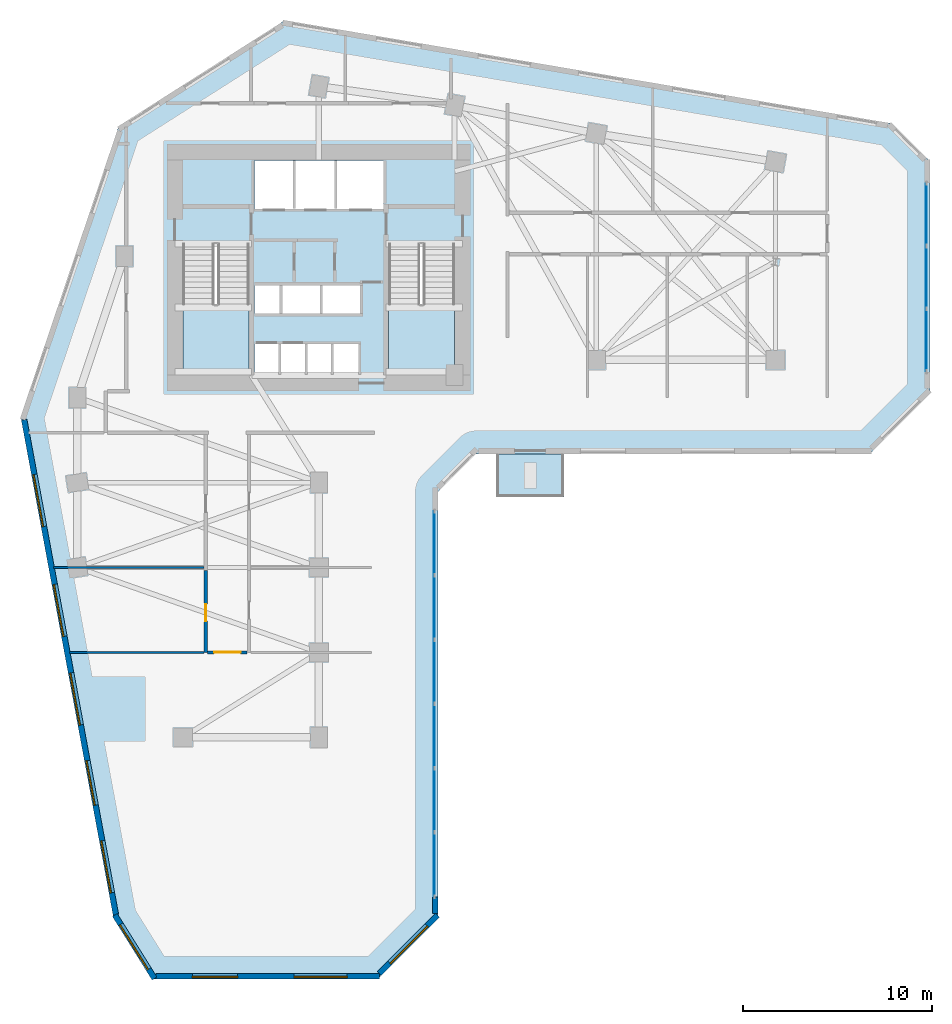
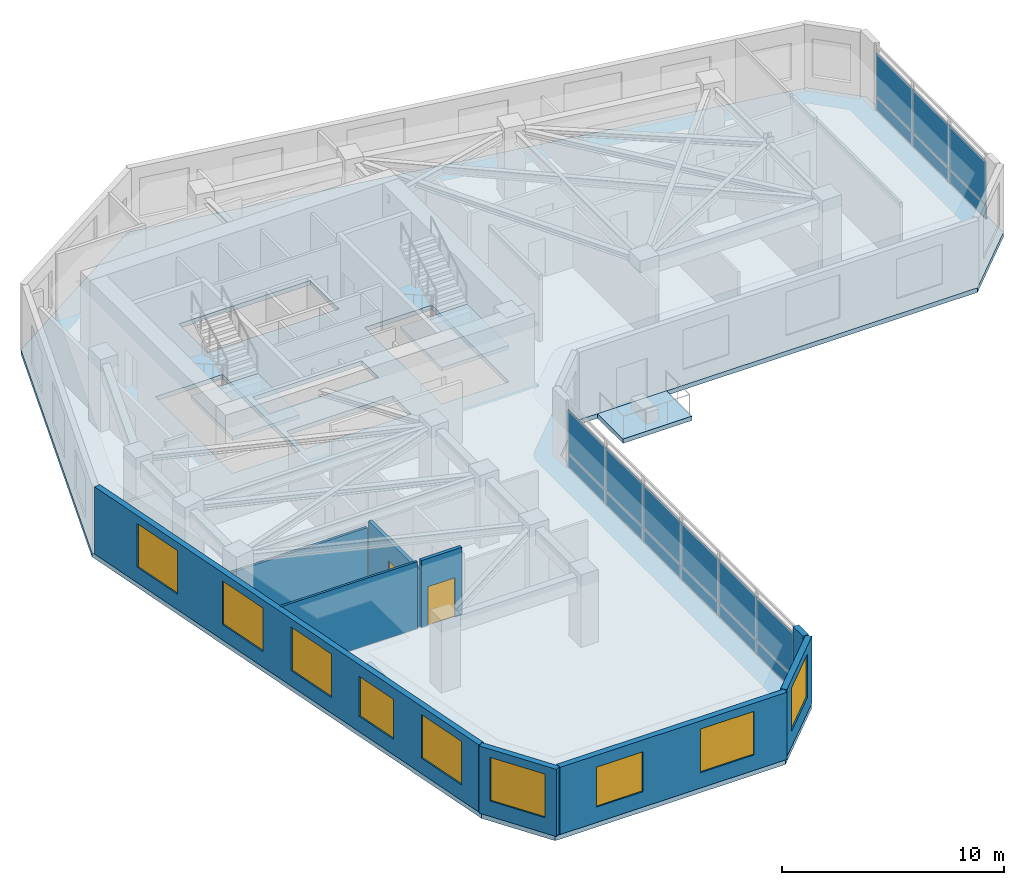
# One storey, part 4 of 10: 18 plates, 9 walls, 9 windows, 4 slabs, 2 doors, 11 openings, 4 elements without a shape of their own.
"""IFC4 building model written with IfcOpenShell, lengths in metres."""

from ifc_helpers import new_model, si_unit, direction, frame, frame_2d, origin, place, context, subcontext, project, spatial, polyline, rectangle, outline, extrude, source, transform, mapped, material, layer, layer_set, type_object, element, fill, aggregate, save


model = new_model("IFC4")

# Units and contexts
model_context = context("Model", 3, precision=1e-05, world=origin(), true_north=direction((0.0, 1.0)))
body_context = subcontext(model_context, "Body", "Model", "MODEL_VIEW")
ifc_project = project(units=[si_unit("LENGTHUNIT", "METRE"), si_unit("AREAUNIT", "SQUARE_METRE"), si_unit("VOLUMEUNIT", "CUBIC_METRE"), si_unit("PLANEANGLEUNIT", "RADIAN"), si_unit("MASSUNIT", "GRAM", prefix="KILO")], contexts=[model_context])

# Site, building, storey
site_placement = place(None, origin())
site = spatial("IfcSite", under=ifc_project, at=site_placement, CompositionType="ELEMENT")
building_placement = place(site_placement, origin())
building = spatial("IfcBuilding", under=site, at=building_placement, Name="Calvemar Wedge Station Tower", CompositionType="ELEMENT")
storey_placement = place(building_placement, frame((0.0, 0.0, 95.0)))
storey = spatial("IfcBuildingStorey", under=building, at=storey_placement, Name="L23", CompositionType="ELEMENT", Elevation=95.0)

# Curtain wall, plates
ifc_material_1 = material(Name="Anodised aluminium 6063-T6", Category="aluminium")
curtain_wall_type = type_object("IfcCurtainWallType", Name="CW1", PredefinedType="NOTDEFINED", material=ifc_material_1)
curtain_wall_1_placement = place(storey_placement, origin())
curtain_wall_1 = element("IfcCurtainWall", 1, at=curtain_wall_1_placement, inside=storey, type_object=curtain_wall_type, Name="Storey L23 CW1 Recessed Unitised Curtain Wall 4", PredefinedType="NOTDEFINED")
ifc_material_2 = material(Name="Low-E laminated insulated glass", Category="glass")
ifc_layer_1 = layer(ifc_material_2, 0.028076171875)
ifc_layer_set_1 = layer_set([ifc_layer_1], Name="Low-E laminated insulated glass")
plate_type_1 = type_object("IfcPlateType", Name="CW1-GLZ", PredefinedType="CURTAIN_PANEL", material=ifc_layer_set_1)
plate_1_placement = place(storey_placement, frame((29.91796875, 6.580078125, 0.8701171875), z_axis=(0.0, 0.0, 1.0), x_axis=(0.0, 1.0, 0.0)))
plate_1 = element("IfcPlate", 2, at=plate_1_placement, type_object=plate_type_1, Name="CW1 vision glass panel 1", PredefinedType="CURTAIN_PANEL", context=body_context, shape_type="SweptSolid", body=[
    extrude(rectangle(XDim=3.36865234375, YDim=0.028076171875, at=frame_2d((1.684326171875, 0.0))), origin(), (0.0, 0.0, 1.0), 2.35986328125),
])
plate_2_placement = place(storey_placement, frame((29.91796875, 9.98486328125, 0.8701171875), z_axis=(0.0, 0.0, 1.0), x_axis=(0.0, 1.0, 0.0)))
plate_2 = element("IfcPlate", 3, at=plate_2_placement, type_object=plate_type_1, Name="CW1 vision glass panel 2", PredefinedType="CURTAIN_PANEL", context=body_context, shape_type="SweptSolid", body=[
    extrude(rectangle(XDim=3.36865234375, YDim=0.028076171875, at=frame_2d((1.684326171875, 0.0))), origin(), (0.0, 0.0, 1.0), 2.35986328125),
])
plate_3_placement = place(storey_placement, frame((29.91796875, 13.389404296875, 0.8701171875), z_axis=(0.0, 0.0, 1.0), x_axis=(0.0, 1.0, 0.0)))
plate_3 = element("IfcPlate", 4, at=plate_3_placement, type_object=plate_type_1, Name="CW1 vision glass panel 3", PredefinedType="CURTAIN_PANEL", context=body_context, shape_type="SweptSolid", body=[
    extrude(rectangle(XDim=3.36865234375, YDim=0.028076171875, at=frame_2d((1.684326171875, 0.0))), origin(), (0.0, 0.0, 1.0), 2.35986328125),
])
plate_4_placement = place(storey_placement, frame((29.91796875, 16.794189453125, 0.8701171875), z_axis=(0.0, 0.0, 1.0), x_axis=(0.0, 1.0, 0.0)))
plate_4 = element("IfcPlate", 5, at=plate_4_placement, type_object=plate_type_1, Name="CW1 vision glass panel 4", PredefinedType="CURTAIN_PANEL", context=body_context, shape_type="SweptSolid", body=[
    extrude(rectangle(XDim=3.36865234375, YDim=0.028076171875, at=frame_2d((1.684326171875, 0.0))), origin(), (0.0, 0.0, 1.0), 2.35986328125),
])
plate_5_placement = place(storey_placement, frame((29.91796875, 20.19873046875, 0.8701171875), z_axis=(0.0, 0.0, 1.0), x_axis=(0.0, 1.0, 0.0)))
plate_5 = element("IfcPlate", 6, at=plate_5_placement, type_object=plate_type_1, Name="CW1 vision glass panel 5", PredefinedType="CURTAIN_PANEL", context=body_context, shape_type="SweptSolid", body=[
    extrude(rectangle(XDim=3.36865234375, YDim=0.028076171875, at=frame_2d((1.684326171875, 0.0))), origin(), (0.0, 0.0, 1.0), 2.35986328125),
])
plate_6_placement = place(storey_placement, frame((29.91796875, 23.603515625, 0.8701171875), z_axis=(0.0, 0.0, 1.0), x_axis=(0.0, 1.0, 0.0)))
plate_6 = element("IfcPlate", 7, at=plate_6_placement, type_object=plate_type_1, Name="CW1 vision glass panel 6", PredefinedType="CURTAIN_PANEL", context=body_context, shape_type="SweptSolid", body=[
    extrude(rectangle(XDim=3.36865234375, YDim=0.028076171875, at=frame_2d((1.684326171875, 0.0))), origin(), (0.0, 0.0, 1.0), 2.35986328125),
])

curtain_wall_2_placement = place(storey_placement, origin())
curtain_wall_2 = element("IfcCurtainWall", 8, at=curtain_wall_2_placement, inside=storey, type_object=curtain_wall_type, Name="Storey L23 CW1 Recessed Unitised Curtain Wall 8", PredefinedType="NOTDEFINED")
plate_7_placement = place(storey_placement, frame((55.989990234375, 34.408203125, 0.8701171875), z_axis=(0.0, 0.0, 1.0), x_axis=(0.0, 1.0, 0.0)))
plate_7 = element("IfcPlate", 9, at=plate_7_placement, type_object=plate_type_1, Name="CW1 vision glass panel 1", PredefinedType="CURTAIN_PANEL", context=body_context, shape_type="SweptSolid", body=[
    extrude(rectangle(XDim=3.289306640625, YDim=0.028076171875, at=frame_2d((1.64453125, 0.0))), origin(), (0.0, 0.0, 1.0), 2.35986328125),
])
plate_8_placement = place(storey_placement, frame((55.989990234375, 37.7333984375, 0.8701171875), z_axis=(0.0, 0.0, 1.0), x_axis=(0.0, 1.0, 0.0)))
plate_8 = element("IfcPlate", 10, at=plate_8_placement, type_object=plate_type_1, Name="CW1 vision glass panel 2", PredefinedType="CURTAIN_PANEL", context=body_context, shape_type="SweptSolid", body=[
    extrude(rectangle(XDim=3.289306640625, YDim=0.028076171875, at=frame_2d((1.64453125, 0.0))), origin(), (0.0, 0.0, 1.0), 2.35986328125),
])
plate_9_placement = place(storey_placement, frame((55.989990234375, 41.05859375, 0.8701171875), z_axis=(0.0, 0.0, 1.0), x_axis=(0.0, 1.0, 0.0)))
plate_9 = element("IfcPlate", 11, at=plate_9_placement, type_object=plate_type_1, Name="CW1 vision glass panel 3", PredefinedType="CURTAIN_PANEL", context=body_context, shape_type="SweptSolid", body=[
    extrude(rectangle(XDim=3.289306640625, YDim=0.028076171875, at=frame_2d((1.64453125, 0.0))), origin(), (0.0, 0.0, 1.0), 2.35986328125),
])

# Plate
ifc_material_3 = material(Name="Oxidized bronze aluminium spandrel panel 5005-H24", Category="aluminium")
ifc_layer_2 = layer(ifc_material_3, 0.0400390625)
ifc_layer_set_2 = layer_set([ifc_layer_2], Name="Oxidized bronze aluminium spandrel panel 5005-H24")
plate_type_2 = type_object("IfcPlateType", Name="CW1-SPD", PredefinedType="SHEET", material=ifc_layer_set_2)
plate_10_placement = place(storey_placement, frame((29.91796875, 6.580078125, 0.080078125), z_axis=(0.0, 0.0, 1.0), x_axis=(0.0, 1.0, 0.0)))
plate_10 = element("IfcPlate", 12, at=plate_10_placement, type_object=plate_type_2, Name="CW1 bronze spandrel panel 1", PredefinedType="SHEET", context=body_context, shape_type="SweptSolid", body=[
    extrude(rectangle(XDim=3.36865234375, YDim=0.0400390625, at=frame_2d((1.684326171875, 0.0))), origin(), (0.0, 0.0, 1.0), 0.75),
])

plate_11_placement = place(storey_placement, frame((29.91796875, 9.98486328125, 0.080078125), z_axis=(0.0, 0.0, 1.0), x_axis=(0.0, 1.0, 0.0)))
plate_11 = element("IfcPlate", 13, at=plate_11_placement, type_object=plate_type_2, Name="CW1 bronze spandrel panel 2", PredefinedType="SHEET", context=body_context, shape_type="SweptSolid", body=[
    extrude(rectangle(XDim=3.36865234375, YDim=0.0400390625, at=frame_2d((1.684326171875, 0.0))), origin(), (0.0, 0.0, 1.0), 0.75),
])

plate_12_placement = place(storey_placement, frame((29.91796875, 13.389404296875, 0.080078125), z_axis=(0.0, 0.0, 1.0), x_axis=(0.0, 1.0, 0.0)))
plate_12 = element("IfcPlate", 14, at=plate_12_placement, type_object=plate_type_2, Name="CW1 bronze spandrel panel 3", PredefinedType="SHEET", context=body_context, shape_type="SweptSolid", body=[
    extrude(rectangle(XDim=3.36865234375, YDim=0.0400390625, at=frame_2d((1.684326171875, 0.0))), origin(), (0.0, 0.0, 1.0), 0.75),
])

plate_13_placement = place(storey_placement, frame((29.91796875, 16.794189453125, 0.080078125), z_axis=(0.0, 0.0, 1.0), x_axis=(0.0, 1.0, 0.0)))
plate_13 = element("IfcPlate", 15, at=plate_13_placement, type_object=plate_type_2, Name="CW1 bronze spandrel panel 4", PredefinedType="SHEET", context=body_context, shape_type="SweptSolid", body=[
    extrude(rectangle(XDim=3.36865234375, YDim=0.0400390625, at=frame_2d((1.684326171875, 0.0))), origin(), (0.0, 0.0, 1.0), 0.75),
])

plate_14_placement = place(storey_placement, frame((29.91796875, 20.19873046875, 0.080078125), z_axis=(0.0, 0.0, 1.0), x_axis=(0.0, 1.0, 0.0)))
plate_14 = element("IfcPlate", 16, at=plate_14_placement, type_object=plate_type_2, Name="CW1 bronze spandrel panel 5", PredefinedType="SHEET", context=body_context, shape_type="SweptSolid", body=[
    extrude(rectangle(XDim=3.36865234375, YDim=0.0400390625, at=frame_2d((1.684326171875, 0.0))), origin(), (0.0, 0.0, 1.0), 0.75),
])

plate_15_placement = place(storey_placement, frame((29.91796875, 23.603515625, 0.080078125), z_axis=(0.0, 0.0, 1.0), x_axis=(0.0, 1.0, 0.0)))
plate_15 = element("IfcPlate", 17, at=plate_15_placement, type_object=plate_type_2, Name="CW1 bronze spandrel panel 6", PredefinedType="SHEET", context=body_context, shape_type="SweptSolid", body=[
    extrude(rectangle(XDim=3.36865234375, YDim=0.0400390625, at=frame_2d((1.684326171875, 0.0))), origin(), (0.0, 0.0, 1.0), 0.75),
])

aggregate(curtain_wall_1, [plate_10, plate_1, plate_11, plate_2, plate_12, plate_3, plate_13, plate_4, plate_14, plate_5, plate_15, plate_6])

plate_16_placement = place(storey_placement, frame((55.989990234375, 34.408203125, 0.080078125), z_axis=(0.0, 0.0, 1.0), x_axis=(0.0, 1.0, 0.0)))
plate_16 = element("IfcPlate", 18, at=plate_16_placement, type_object=plate_type_2, Name="CW1 bronze spandrel panel 1", PredefinedType="SHEET", context=body_context, shape_type="SweptSolid", body=[
    extrude(rectangle(XDim=3.289306640625, YDim=0.0400390625, at=frame_2d((1.64453125, 0.0))), origin(), (0.0, 0.0, 1.0), 0.75),
])

plate_17_placement = place(storey_placement, frame((55.989990234375, 37.7333984375, 0.080078125), z_axis=(0.0, 0.0, 1.0), x_axis=(0.0, 1.0, 0.0)))
plate_17 = element("IfcPlate", 19, at=plate_17_placement, type_object=plate_type_2, Name="CW1 bronze spandrel panel 2", PredefinedType="SHEET", context=body_context, shape_type="SweptSolid", body=[
    extrude(rectangle(XDim=3.289306640625, YDim=0.0400390625, at=frame_2d((1.64453125, 0.0))), origin(), (0.0, 0.0, 1.0), 0.75),
])

plate_18_placement = place(storey_placement, frame((55.989990234375, 41.05859375, 0.080078125), z_axis=(0.0, 0.0, 1.0), x_axis=(0.0, 1.0, 0.0)))
plate_18 = element("IfcPlate", 20, at=plate_18_placement, type_object=plate_type_2, Name="CW1 bronze spandrel panel 3", PredefinedType="SHEET", context=body_context, shape_type="SweptSolid", body=[
    extrude(rectangle(XDim=3.289306640625, YDim=0.0400390625, at=frame_2d((1.64453125, 0.0))), origin(), (0.0, 0.0, 1.0), 0.75),
])

aggregate(curtain_wall_2, [plate_16, plate_7, plate_17, plate_8, plate_18, plate_9])

# Stair, slab
ifc_material_4 = material(Name="Concrete C45", Category="concrete")
stair_type = type_object("IfcStairType", Name="ST-TYPE-4000", PredefinedType="HALF_TURN_STAIR", material=ifc_material_4)
stair_1_placement = place(storey_placement, origin())
stair_1 = element("IfcStair", 21, at=stair_1_placement, inside=storey, type_object=stair_type, Name="L23 Pressurized Core Exit Stair ST-C1", PredefinedType="HALF_TURN_STAIR")
ifc_layer_3 = layer(ifc_material_4, 0.199951171875)
ifc_layer_set_3 = layer_set([ifc_layer_3], Name="Concrete C45")
slab_type_1 = type_object("IfcSlabType", Name="SL-STAIR-LND-200", PredefinedType="LANDING", material=ifc_layer_set_3)
slab_1_placement = place(storey_placement, frame((0.0, 0.0, 1.800048828125)))
slab_1 = element("IfcSlab", 22, at=slab_1_placement, type_object=slab_type_1, Name="ST-C1 landing 1", PredefinedType="LANDING", context=body_context, shape_type="SweptSolid", body=[
    extrude(outline(polyline([(16.60009765625, 37.9599609375), (16.60009765625, 34.199951171875), (20.10009765625, 34.199951171875), (20.10009765625, 37.9599609375), (16.60009765625, 37.9599609375)])), origin(), (0.0, 0.0, 1.0), 0.199951171875),
])
aggregate(stair_1, [slab_1])

stair_2_placement = place(storey_placement, origin())
stair_2 = element("IfcStair", 23, at=stair_2_placement, inside=storey, type_object=stair_type, Name="L23 Pressurized Core Exit Stair ST-C2", PredefinedType="HALF_TURN_STAIR")
slab_2_placement = place(storey_placement, frame((0.0, 0.0, 1.800048828125)))
slab_2 = element("IfcSlab", 24, at=slab_2_placement, type_object=slab_type_1, Name="ST-C2 landing 1", PredefinedType="LANDING", context=body_context, shape_type="SweptSolid", body=[
    extrude(outline(polyline([(27.5, 37.9599609375), (27.5, 34.199951171875), (31.0, 34.199951171875), (31.0, 37.9599609375), (27.5, 37.9599609375)])), origin(), (0.0, 0.0, 1.0), 0.199951171875),
])
aggregate(stair_2, [slab_2])

# Slabs
ifc_layer_4 = layer(ifc_material_4, 0.239990234375)
ifc_layer_set_4 = layer_set([ifc_layer_4], Name="Concrete C45")
slab_type_2 = type_object("IfcSlabType", Name="SL-TERR-240", PredefinedType="FLOOR", material=ifc_layer_set_4)
slab_3_placement = place(storey_placement, frame((0.0, 0.0, -0.239990234375)))
element("IfcSlab", 25, at=slab_3_placement, inside=storey, type_object=slab_type_2, Name="Storey L23 Planted Spiral Terrace Slab", PredefinedType="FLOOR", context=body_context, shape_type="SweptSolid", body=[
    extrude(outline(polyline([(33.199951171875, 30.028076171875), (33.199951171875, 27.72802734375), (36.800048828125, 27.72802734375), (36.800048828125, 30.028076171875), (33.199951171875, 30.028076171875)])), origin(), (0.0, 0.0, 1.0), 0.239990234375),
])
ifc_material_5 = material(Name="Concrete C50", Category="concrete")
ifc_layer_5 = layer(ifc_material_5, 0.25)
ifc_layer_set_5 = layer_set([ifc_layer_5], Name="Concrete C50")
slab_type_3 = type_object("IfcSlabType", Name="SL-TYP-250", PredefinedType="FLOOR", material=ifc_layer_set_5)
slab_4_placement = place(storey_placement, frame((0.0, 0.0, -0.25)))
element("IfcSlab", 26, at=slab_4_placement, inside=storey, type_object=slab_type_3, Name="Storey L23 Structural Floor Slab", PredefinedType="FLOOR", context=body_context, shape_type="SweptSolid", body=[
    extrude(outline(polyline([(8.0, 32.0), (12.927978515625, 5.39990234375), (14.927978515625, 2.199951171875), (26.927978515625, 2.199951171875), (30.1279296875, 5.39990234375), (30.1279296875, 28.028076171875), (32.1279296875, 30.028076171875), (53.0, 30.028076171875), (56.199951171875, 33.22802734375), (56.199951171875, 45.528076171875), (54.199951171875, 47.528076171875), (22.0, 53.0), (13.199951171875, 47.39990234375), (8.0, 32.0)]), holes=[polyline([(21.739990234375, 35.85009765625), (21.72998046875, 35.85009765625), (20.3798828125, 35.85009765625), (20.3798828125, 34.219970703125), (21.72998046875, 34.219970703125), (21.739990234375, 34.219970703125), (23.1201171875, 34.219970703125), (23.1298828125, 34.219970703125), (24.510009765625, 34.219970703125), (24.52001953125, 34.219970703125), (25.909912109375, 34.219970703125), (25.909912109375, 35.85009765625), (24.52001953125, 35.85009765625), (24.510009765625, 35.85009765625), (23.1298828125, 35.85009765625), (23.1201171875, 35.85009765625), (21.739990234375, 35.85009765625)]), polyline([(16.60009765625, 41.14990234375), (16.60009765625, 34.199951171875), (20.10009765625, 34.199951171875), (20.10009765625, 41.14990234375), (16.60009765625, 41.14990234375)]), polyline([(27.5, 34.199951171875), (31.0, 34.199951171875), (31.0, 41.14990234375), (27.5, 41.14990234375), (27.5, 34.199951171875)]), polyline([(21.7900390625, 37.449951171875), (21.800048828125, 37.449951171875), (23.929931640625, 37.449951171875), (23.93994140625, 37.449951171875), (26.080078125, 37.449951171875), (26.080078125, 38.949951171875), (23.93994140625, 38.949951171875), (23.929931640625, 38.949951171875), (21.800048828125, 38.949951171875), (21.7900390625, 38.949951171875), (20.3798828125, 38.949951171875), (20.3798828125, 37.449951171875), (21.7900390625, 37.449951171875)]), polyline([(20.3798828125, 43.0), (27.219970703125, 43.0), (27.219970703125, 45.580078125), (20.3798828125, 45.580078125), (20.3798828125, 43.0)])]), origin(), (0.0, 0.0, 1.0), 0.25),
])

# Wall, opening, door
ifc_material_6 = material(Name="Double-stud fire-rated corridor partition")
ifc_layer_6 = layer(ifc_material_6, 0.179931640625)
ifc_layer_set_6 = layer_set([ifc_layer_6], Name="Double-stud fire-rated corridor partition")
wall_type_1 = type_object("IfcWallType", Name="W-CORR-180", PredefinedType="PARTITIONING", material=ifc_layer_set_6)
wall_1_placement = place(storey_placement, frame((17.800048828125, 19.5, 0.0), z_axis=(0.0, 0.0, 1.0), x_axis=(0.0, 1.0, 0.0)))
wall_1 = element("IfcWall", 27, at=wall_1_placement, inside=storey, type_object=wall_type_1, Name="Storey L23 Interior Partition WL-L23-035", PredefinedType="PARTITIONING", context=body_context, shape_type="SweptSolid", body=[
    extrude(rectangle(XDim=4.337890625, YDim=0.179931640625, at=frame_2d((2.1689453125, 0.0))), origin(), (0.0, 0.0, 1.0), 3.27197265625),
])
shared_shape_1 = source(origin(), body_context, "Body", "SweptSolid", [
    extrude(rectangle(XDim=0.89990234375, YDim=2.14990234375, at=frame_2d((0.449951171875, 1.074951171875))), frame((0.0, 0.10009765625, 0.0), z_axis=(0.0, -1.0, 0.0), x_axis=(1.0, 0.0, 0.0)), (0.0, 0.0, 1.0), 0.199951171875),
])
opening_1_placement = place(wall_1_placement, frame((1.656494140625, 0.0, 0.0)))
opening_1 = element("IfcOpeningElement", 28, at=opening_1_placement, cuts=wall_1, Name="Opening D-01", PredefinedType="OPENING", context=body_context, shape_type="MappedRepresentation", body=[
    mapped(shared_shape_1, transform((0.0, 0.0, 0.0), scale=1.0)),
])
ifc_material_7 = material(Name="Architectural hardwood acoustic swing door", Category="wood")
door_type_1 = type_object("IfcDoorType", Name="DR-INT-900", OperationType="NOTDEFINED", PredefinedType="DOOR", material=ifc_material_7)
shared_shape_2 = source(origin(), body_context, "Body", "SweptSolid", [
    extrude(rectangle(XDim=0.89990234375, YDim=2.14990234375, at=frame_2d((0.449951171875, 1.074951171875))), frame((0.0, 0.02490234375, 0.0), z_axis=(0.0, -1.0, 0.0), x_axis=(1.0, 0.0, 0.0)), (0.0, 0.0, 1.0), 0.050048828125),
])
door_1_placement = place(opening_1_placement, origin())
door_1 = element("IfcDoor", 29, at=door_1_placement, inside=storey, type_object=door_type_1, Name="L23 Office Door", OperationType="SINGLE_SWING_RIGHT", OverallHeight=2.14990234375, OverallWidth=0.89990234375, PredefinedType="DOOR", context=body_context, shape_type="MappedRepresentation", body=[
    mapped(shared_shape_2, transform((0.0, 0.0, 0.0), scale=1.0)),
])
fill(opening_1, door_1)

wall_2_placement = place(storey_placement, frame((20.006103515625, 19.5, 0.0), z_axis=(0.0, 0.0, 1.0), x_axis=(-1.0, 0.0, 0.0)))
wall_2 = element("IfcWall", 30, at=wall_2_placement, inside=storey, type_object=wall_type_1, Name="Storey L23 Interior Partition WL-L23-038", PredefinedType="PARTITIONING", context=body_context, shape_type="SweptSolid", body=[
    extrude(rectangle(XDim=2.112060546875, YDim=0.179931640625, at=frame_2d((1.05615234375, 0.0))), origin(), (0.0, 0.0, 1.0), 3.699951171875),
])
shared_shape_3 = source(origin(), body_context, "Body", "SweptSolid", [
    extrude(rectangle(XDim=1.39990234375, YDim=2.14990234375, at=frame_2d((0.699951171875, 1.074951171875))), frame((0.0, 0.10009765625, 0.0), z_axis=(0.0, -1.0, 0.0), x_axis=(1.0, 0.0, 0.0)), (0.0, 0.0, 1.0), 0.199951171875),
])
opening_2_placement = place(wall_2_placement, frame((0.35595703125, 0.0, 0.0)))
opening_2 = element("IfcOpeningElement", 31, at=opening_2_placement, cuts=wall_2, Name="Opening DD-140", PredefinedType="OPENING", context=body_context, shape_type="MappedRepresentation", body=[
    mapped(shared_shape_3, transform((0.0, 0.0, 0.0), scale=1.0)),
])
ifc_material_8 = material(Name="Double-leaf corridor acoustic fire door EI 60")
door_type_2 = type_object("IfcDoorType", Name="DR-DBL-1400", OperationType="DOUBLE_DOOR_SINGLE_SWING", PredefinedType="DOOR", material=ifc_material_8)
shared_shape_4 = source(origin(), body_context, "Body", "SweptSolid", [
    extrude(rectangle(XDim=1.39990234375, YDim=2.14990234375, at=frame_2d((0.699951171875, 1.074951171875))), frame((0.0, 0.02490234375, 0.0), z_axis=(0.0, -1.0, 0.0), x_axis=(1.0, 0.0, 0.0)), (0.0, 0.0, 1.0), 0.050048828125),
])
door_2_placement = place(opening_2_placement, origin())
door_2 = element("IfcDoor", 32, at=door_2_placement, inside=storey, type_object=door_type_2, Name="L23 Co-Working Studio Door", OperationType="SINGLE_SWING_LEFT", OverallHeight=2.14990234375, OverallWidth=1.39990234375, PredefinedType="DOOR", context=body_context, shape_type="MappedRepresentation", body=[
    mapped(shared_shape_4, transform((0.0, 0.0, 0.0), scale=1.0)),
])
fill(opening_2, door_2)

# Wall, opening, window
ifc_material_9 = material(Name="Precast concrete C45", Category="concrete")
ifc_layer_7 = layer(ifc_material_9, 0.300048828125)
ifc_layer_set_7 = layer_set([ifc_layer_7], Name="Precast concrete C45")
wall_type_2 = type_object("IfcWallType", Name="W-EXT-GFRC-300", PredefinedType="SOLIDWALL", material=ifc_layer_set_7)
wall_3_placement = place(storey_placement, frame((12.99072265625, 5.58251953125, 0.0), z_axis=(0.0, 0.0, 1.0), x_axis=(0.530015557218, -0.847987918019, 0.0)))
wall_3 = element("IfcWall", 33, at=wall_3_placement, inside=storey, type_object=wall_type_2, Name="Storey L23 Bronze GFRC Exterior Wall 1", PredefinedType="SOLIDWALL", context=body_context, shape_type="SweptSolid", body=[
    extrude(rectangle(XDim=3.9619140625, YDim=0.300048828125, at=frame_2d((1.98095703125, 0.0))), origin(), (0.0, 0.0, 1.0), 3.699951171875),
])
shared_shape_5 = source(origin(), body_context, "Body", "SweptSolid", [
    extrude(rectangle(XDim=2.800048828125, YDim=2.39990234375, at=frame_2d((1.39990234375, 1.199951171875))), frame((0.0, 0.16015625, 0.0), z_axis=(0.0, -1.0, 0.0), x_axis=(1.0, 0.0, 0.0)), (0.0, 0.0, 1.0), 0.320068359375),
])
opening_3_placement = place(wall_3_placement, frame((0.5810546875, 0.0, 0.85009765625)))
opening_3 = element("IfcOpeningElement", 34, at=opening_3_placement, cuts=wall_3, Name="Opening W6", PredefinedType="OPENING", context=body_context, shape_type="MappedRepresentation", body=[
    mapped(shared_shape_5, transform((0.0, 0.0, 0.0), scale=1.0)),
])
window_type_1 = type_object("IfcWindowType", Name="WIN-EXT-6", PartitioningType="SINGLE_PANEL", PredefinedType="WINDOW", material=ifc_material_2)
shared_shape_6 = source(origin(), body_context, "Body", "SweptSolid", [
    extrude(rectangle(XDim=2.800048828125, YDim=2.39990234375, at=frame_2d((1.39990234375, 1.199951171875))), frame((0.0, -0.014892578125, 0.0), z_axis=(0.0, -1.0, 0.0), x_axis=(1.0, 0.0, 0.0)), (0.0, 0.0, 1.0), 0.06005859375),
])
window_1_placement = place(opening_3_placement, origin())
window_1 = element("IfcWindow", 35, at=window_1_placement, inside=storey, type_object=window_type_1, Name="Storey L23 Recessed Window 1.1", OverallHeight=2.39990234375, OverallWidth=2.800048828125, PartitioningType="SINGLE_PANEL", PredefinedType="WINDOW", context=body_context, shape_type="MappedRepresentation", body=[
    mapped(shared_shape_6, transform((0.0, 0.0, 0.0), scale=1.0)),
])
fill(opening_3, window_1)

# Wall, openings, windows
wall_4_placement = place(storey_placement, frame((15.173828125, 2.35009765625, 0.0), z_axis=(0.0, 0.0, 1.0), x_axis=(1.0, 0.0, 0.0)))
wall_4 = element("IfcWall", 36, at=wall_4_placement, inside=storey, type_object=wall_type_2, Name="Storey L23 Bronze GFRC Exterior Wall 2", PredefinedType="SOLIDWALL", context=body_context, shape_type="SweptSolid", body=[
    extrude(rectangle(XDim=11.842041015625, YDim=0.300048828125, at=frame_2d((5.9208984375, 0.0))), origin(), (0.0, 0.0, 1.0), 3.699951171875),
])
shared_shape_7 = source(origin(), body_context, "Body", "SweptSolid", [
    extrude(rectangle(XDim=2.39990234375, YDim=2.199951171875, at=frame_2d((1.199951171875, 1.10009765625))), frame((0.0, 0.16015625, 0.0), z_axis=(0.0, -1.0, 0.0), x_axis=(1.0, 0.0, 0.0)), (0.0, 0.0, 1.0), 0.320068359375),
])
opening_4_placement = place(wall_4_placement, frame((1.9208984375, 0.0, 0.85009765625)))
opening_4 = element("IfcOpeningElement", 37, at=opening_4_placement, cuts=wall_4, Name="Opening W1", PredefinedType="OPENING", context=body_context, shape_type="MappedRepresentation", body=[
    mapped(shared_shape_7, transform((0.0, 0.0, 0.0), scale=1.0)),
])
opening_5_placement = place(wall_4_placement, frame((7.322021484375, 0.0, 0.85009765625)))
opening_5 = element("IfcOpeningElement", 38, at=opening_5_placement, cuts=wall_4, Name="Opening W6", PredefinedType="OPENING", context=body_context, shape_type="MappedRepresentation", body=[
    mapped(shared_shape_5, transform((0.0, 0.0, 0.0), scale=1.0)),
])
window_2_placement = place(opening_5_placement, origin())
window_2 = element("IfcWindow", 39, at=window_2_placement, inside=storey, type_object=window_type_1, Name="Storey L23 Recessed Window 2.2", OverallHeight=2.39990234375, OverallWidth=2.800048828125, PartitioningType="SINGLE_PANEL", PredefinedType="WINDOW", context=body_context, shape_type="MappedRepresentation", body=[
    mapped(shared_shape_6, transform((0.0, 0.0, 0.0), scale=1.0)),
])
fill(opening_5, window_2)
window_type_2 = type_object("IfcWindowType", Name="WIN-EXT-1", PartitioningType="SINGLE_PANEL", PredefinedType="WINDOW", material=ifc_material_2)
shared_shape_8 = source(origin(), body_context, "Body", "SweptSolid", [
    extrude(rectangle(XDim=2.39990234375, YDim=2.199951171875, at=frame_2d((1.199951171875, 1.10009765625))), frame((0.0, -0.014892578125, 0.0), z_axis=(0.0, -1.0, 0.0), x_axis=(1.0, 0.0, 0.0)), (0.0, 0.0, 1.0), 0.06005859375),
])
window_3_placement = place(opening_4_placement, origin())
window_3 = element("IfcWindow", 40, at=window_3_placement, inside=storey, type_object=window_type_2, Name="Storey L23 Recessed Window 2.1", OverallHeight=2.199951171875, OverallWidth=2.39990234375, PartitioningType="SINGLE_PANEL", PredefinedType="WINDOW", context=body_context, shape_type="MappedRepresentation", body=[
    mapped(shared_shape_8, transform((0.0, 0.0, 0.0), scale=1.0)),
])
fill(opening_4, window_3)

# Wall, opening, window
wall_5_placement = place(storey_placement, frame((27.00390625, 2.488037109375, 0.0), z_axis=(0.0, 0.0, 1.0), x_axis=(0.707106781187, 0.707106781187, 0.0)))
wall_5 = element("IfcWall", 41, at=wall_5_placement, inside=storey, type_object=wall_type_2, Name="Storey L23 Bronze GFRC Exterior Wall 3", PredefinedType="SOLIDWALL", context=body_context, shape_type="SweptSolid", body=[
    extrude(rectangle(XDim=4.35595703125, YDim=0.300048828125, at=frame_2d((2.177978515625, 0.0))), origin(), (0.0, 0.0, 1.0), 3.699951171875),
])
opening_6_placement = place(wall_5_placement, frame((0.778076171875, 0.0, 0.85009765625)))
opening_6 = element("IfcOpeningElement", 42, at=opening_6_placement, cuts=wall_5, Name="Opening W6", PredefinedType="OPENING", context=body_context, shape_type="MappedRepresentation", body=[
    mapped(shared_shape_5, transform((0.0, 0.0, 0.0), scale=1.0)),
])
window_4_placement = place(opening_6_placement, origin())
window_4 = element("IfcWindow", 43, at=window_4_placement, inside=storey, type_object=window_type_1, Name="Storey L23 Recessed Window 3.1", OverallHeight=2.39990234375, OverallWidth=2.800048828125, PartitioningType="SINGLE_PANEL", PredefinedType="WINDOW", context=body_context, shape_type="MappedRepresentation", body=[
    mapped(shared_shape_6, transform((0.0, 0.0, 0.0), scale=1.0)),
])
fill(opening_6, window_4)

# Wall
wall_6_placement = place(storey_placement, frame((29.97802734375, 5.6572265625, 0.0), z_axis=(0.0, 0.0, 1.0), x_axis=(0.0, 1.0, 0.0)))
element("IfcWall", 44, at=wall_6_placement, inside=storey, type_object=wall_type_2, Name="Storey L23 Bronze GFRC Corner Pier 4A", PredefinedType="SOLIDWALL", context=body_context, shape_type="SweptSolid", body=[
    extrude(rectangle(XDim=0.8798828125, YDim=0.300048828125, at=frame_2d((0.43994140625, 0.0))), origin(), (0.0, 0.0, 1.0), 3.699951171875),
])

# Wall, openings, windows
wall_7_placement = place(storey_placement, frame((8.183349609375, 31.83349609375, 0.0), z_axis=(0.0, 0.0, 1.0), x_axis=(0.18216364648, -0.983268226834, 0.0)))
wall_7 = element("IfcWall", 45, at=wall_7_placement, inside=storey, type_object=wall_type_2, Name="Storey L23 Bronze GFRC Exterior Wall 13", PredefinedType="SOLIDWALL", context=body_context, shape_type="SweptSolid", body=[
    extrude(rectangle(XDim=26.678466796875, YDim=0.300048828125, at=frame_2d((13.33935546875, 0.0))), origin(), (0.0, 0.0, 1.0), 3.699951171875),
])
opening_7_placement = place(wall_7_placement, frame((2.951904296875, 0.0, 0.85009765625)))
opening_7 = element("IfcOpeningElement", 46, at=opening_7_placement, cuts=wall_7, Name="Opening W6", PredefinedType="OPENING", context=body_context, shape_type="MappedRepresentation", body=[
    mapped(shared_shape_5, transform((0.0, 0.0, 0.0), scale=1.0)),
])
opening_8_placement = place(wall_7_placement, frame((8.8759765625, 0.0, 0.85009765625)))
opening_8 = element("IfcOpeningElement", 47, at=opening_8_placement, cuts=wall_7, Name="Opening W6", PredefinedType="OPENING", context=body_context, shape_type="MappedRepresentation", body=[
    mapped(shared_shape_5, transform((0.0, 0.0, 0.0), scale=1.0)),
])
opening_9_placement = place(wall_7_placement, frame((13.64697265625, 0.0, 0.85009765625)))
opening_9 = element("IfcOpeningElement", 48, at=opening_9_placement, cuts=wall_7, Name="Opening W6", PredefinedType="OPENING", context=body_context, shape_type="MappedRepresentation", body=[
    mapped(shared_shape_5, transform((0.0, 0.0, 0.0), scale=1.0)),
])
opening_10_placement = place(wall_7_placement, frame((18.3720703125, 0.0, 0.85009765625)))
opening_10 = element("IfcOpeningElement", 49, at=opening_10_placement, cuts=wall_7, Name="Opening W1", PredefinedType="OPENING", context=body_context, shape_type="MappedRepresentation", body=[
    mapped(shared_shape_7, transform((0.0, 0.0, 0.0), scale=1.0)),
])
opening_11_placement = place(wall_7_placement, frame((22.696044921875, 0.0, 0.85009765625)))
opening_11 = element("IfcOpeningElement", 50, at=opening_11_placement, cuts=wall_7, Name="Opening W6", PredefinedType="OPENING", context=body_context, shape_type="MappedRepresentation", body=[
    mapped(shared_shape_5, transform((0.0, 0.0, 0.0), scale=1.0)),
])
window_5_placement = place(opening_7_placement, origin())
window_5 = element("IfcWindow", 51, at=window_5_placement, inside=storey, type_object=window_type_1, Name="Storey L23 Recessed Window 13.1", OverallHeight=2.39990234375, OverallWidth=2.800048828125, PartitioningType="SINGLE_PANEL", PredefinedType="WINDOW", context=body_context, shape_type="MappedRepresentation", body=[
    mapped(shared_shape_6, transform((0.0, 0.0, 0.0), scale=1.0)),
])
fill(opening_7, window_5)
window_6_placement = place(opening_8_placement, origin())
window_6 = element("IfcWindow", 52, at=window_6_placement, inside=storey, type_object=window_type_1, Name="Storey L23 Recessed Window 13.2", OverallHeight=2.39990234375, OverallWidth=2.800048828125, PartitioningType="SINGLE_PANEL", PredefinedType="WINDOW", context=body_context, shape_type="MappedRepresentation", body=[
    mapped(shared_shape_6, transform((0.0, 0.0, 0.0), scale=1.0)),
])
fill(opening_8, window_6)
window_7_placement = place(opening_9_placement, origin())
window_7 = element("IfcWindow", 53, at=window_7_placement, inside=storey, type_object=window_type_1, Name="Storey L23 Recessed Window 13.3", OverallHeight=2.39990234375, OverallWidth=2.800048828125, PartitioningType="SINGLE_PANEL", PredefinedType="WINDOW", context=body_context, shape_type="MappedRepresentation", body=[
    mapped(shared_shape_6, transform((0.0, 0.0, 0.0), scale=1.0)),
])
fill(opening_9, window_7)
window_8_placement = place(opening_11_placement, origin())
window_8 = element("IfcWindow", 54, at=window_8_placement, inside=storey, type_object=window_type_1, Name="Storey L23 Recessed Window 13.5", OverallHeight=2.39990234375, OverallWidth=2.800048828125, PartitioningType="SINGLE_PANEL", PredefinedType="WINDOW", context=body_context, shape_type="MappedRepresentation", body=[
    mapped(shared_shape_6, transform((0.0, 0.0, 0.0), scale=1.0)),
])
fill(opening_11, window_8)
window_9_placement = place(opening_10_placement, origin())
window_9 = element("IfcWindow", 55, at=window_9_placement, inside=storey, type_object=window_type_2, Name="Storey L23 Recessed Window 13.4", OverallHeight=2.199951171875, OverallWidth=2.39990234375, PartitioningType="SINGLE_PANEL", PredefinedType="WINDOW", context=body_context, shape_type="MappedRepresentation", body=[
    mapped(shared_shape_8, transform((0.0, 0.0, 0.0), scale=1.0)),
])
fill(opening_10, window_9)

# Walls
ifc_material_10 = material(Name="Insulated acoustic gypsum stud partition")
ifc_layer_8 = layer(ifc_material_10, 0.125)
ifc_layer_set_8 = layer_set([ifc_layer_8], Name="Insulated acoustic gypsum stud partition")
wall_type_3 = type_object("IfcWallType", Name="W-PART-125", PredefinedType="PARTITIONING", material=ifc_layer_set_8)
wall_8_placement = place(storey_placement, frame((17.7060546875, 24.0, 0.0), z_axis=(0.0, 0.0, 1.0), x_axis=(-1.0, 0.0, 0.0)))
element("IfcWall", 56, at=wall_8_placement, inside=storey, type_object=wall_type_3, Name="Storey L23 Interior Partition WL-L23-039", PredefinedType="PARTITIONING", context=body_context, shape_type="SweptSolid", body=[
    extrude(rectangle(XDim=7.954345703125, YDim=0.125, at=frame_2d((3.97705078125, 0.0))), origin(), (0.0, 0.0, 1.0), 2.842041015625),
])
wall_9_placement = place(storey_placement, frame((17.7060546875, 19.5, 0.0), z_axis=(0.0, 0.0, 1.0), x_axis=(-1.0, 0.0, 0.0)))
element("IfcWall", 57, at=wall_9_placement, inside=storey, type_object=wall_type_3, Name="Storey L23 Interior Partition WL-L23-040", PredefinedType="PARTITIONING", context=body_context, shape_type="SweptSolid", body=[
    extrude(rectangle(XDim=7.120849609375, YDim=0.125, at=frame_2d((3.560546875, 0.0))), origin(), (0.0, 0.0, 1.0), 3.699951171875),
])

save(model, "model.ifc")
